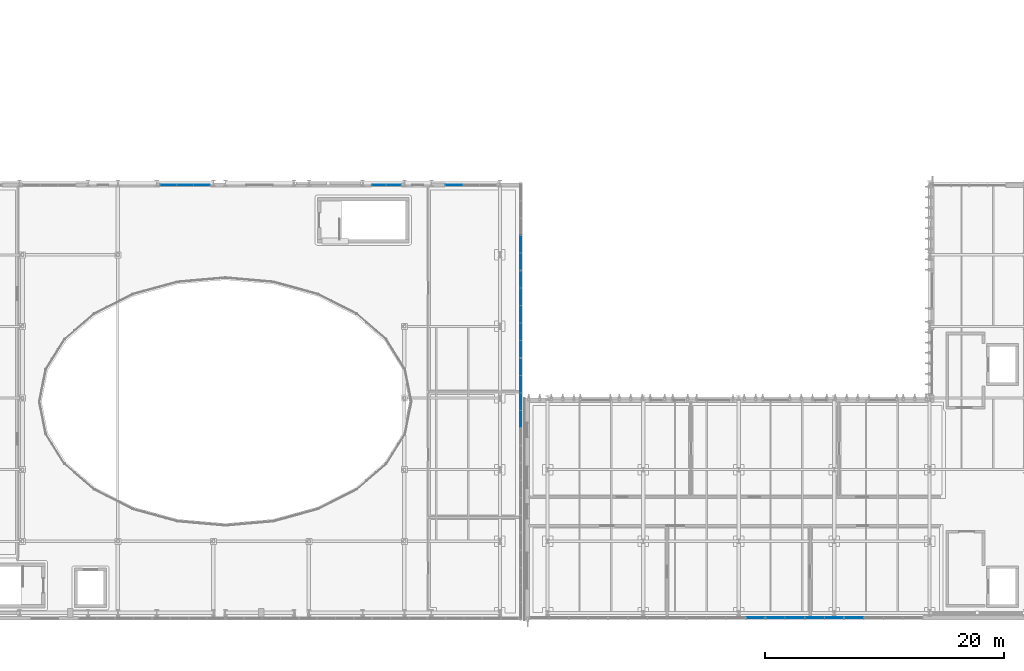
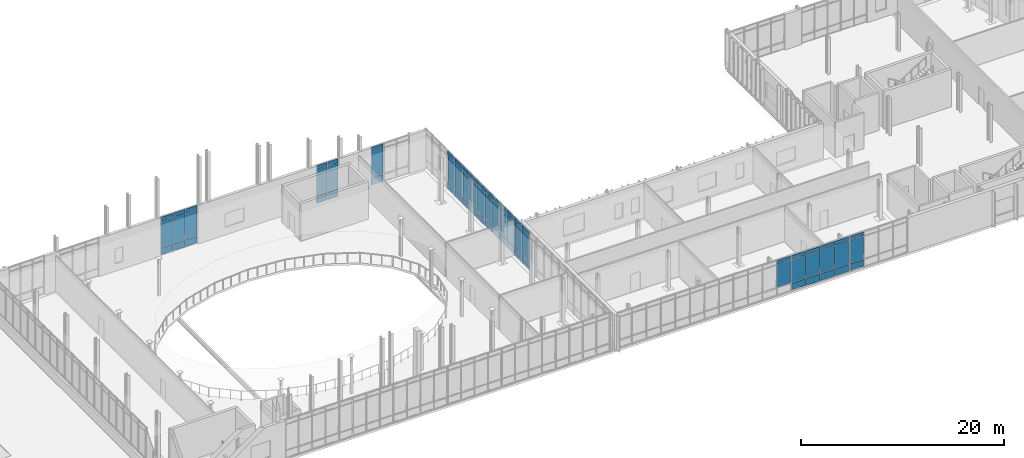
# One storey, part 49 of 86: 68 plates, 9 elements without a shape of their own.
"""IFC4 building model written with IfcOpenShell, lengths in metres."""

from ifc_helpers import new_model, si_unit, direction, frame, origin, origin_2d, place, context, subcontext, project, spatial, rectangle, extrude, material, layer, layer_set, type_object, element, aggregate, save


model = new_model("IFC4")

# Units and contexts
model_context = context("Model", 3, precision=1e-05, world=origin(), true_north=direction((0.0, 1.0)))
body_context = subcontext(model_context, "Body", "Model", "MODEL_VIEW")
ifc_project = project(units=[si_unit("LENGTHUNIT", "METRE"), si_unit("AREAUNIT", "SQUARE_METRE"), si_unit("VOLUMEUNIT", "CUBIC_METRE"), si_unit("PLANEANGLEUNIT", "RADIAN"), si_unit("MASSUNIT", "GRAM", prefix="KILO")], contexts=[model_context])

# Site, building, storey
site_placement = place(None, origin())
site = spatial("IfcSite", under=ifc_project, at=site_placement, CompositionType="ELEMENT")
building_placement = place(site_placement, origin())
building = spatial("IfcBuilding", under=site, at=building_placement, Name="Cymarion Research Institute", CompositionType="ELEMENT")
storey_placement = place(building_placement, frame((0.0, 0.0, 13.800048828125)))
storey = spatial("IfcBuildingStorey", under=building, at=storey_placement, Name="L03", CompositionType="ELEMENT", Elevation=13.800048828125)

# Curtain wall, plate
ifc_material_1 = material(Name="Anodised aluminium unitised curtain wall with Low-E glazing", Category="aluminium")
curtain_wall_type_1 = type_object("IfcCurtainWallType", Name="UNITISED CURTAIN WALL CW26 6590X4240", PredefinedType="NOTDEFINED", material=ifc_material_1)
curtain_wall_1_placement = place(storey_placement, origin())
curtain_wall_1 = element("IfcCurtainWall", 1, at=curtain_wall_1_placement, inside=storey, type_object=curtain_wall_type_1, Name="L03 V1 unitised curtain wall CW26 #121", PredefinedType="NOTDEFINED")
ifc_material_2 = material(Name="Insulated anodised aluminium spandrel panel", Category="aluminium")
ifc_layer_1 = layer(ifc_material_2, 0.06005859375)
ifc_layer_set_1 = layer_set([ifc_layer_1], Name="Insulated anodised aluminium spandrel panel")
plate_type_1 = type_object("IfcPlateType", Name="INSULATED ALUMINIUM SPANDREL PANEL SP01 60MM", PredefinedType="SHEET", material=ifc_layer_set_1)
plate_1_placement = place(storey_placement, frame((124.002197265625, 5.090087890625, 3.719970703125), z_axis=(0.0, 0.0, 1.0), x_axis=(1.0, 0.0, 0.0)))
plate_1 = element("IfcPlate", 2, at=plate_1_placement, type_object=plate_type_1, Name="CW26 panel 4.3", PredefinedType="SHEET", context=body_context, shape_type="SweptSolid", body=[
    extrude(rectangle(XDim=1.558349609375, YDim=0.06005859375, at=origin_2d()), origin(), (0.0, 0.0, 1.0), 0.4599609375),
])

# Curtain wall, plates
curtain_wall_2_placement = place(storey_placement, origin())
curtain_wall_2 = element("IfcCurtainWall", 3, at=curtain_wall_2_placement, inside=storey, type_object=curtain_wall_type_1, Name="L03 V1 unitised curtain wall CW26 #122", PredefinedType="NOTDEFINED")
plate_2_placement = place(storey_placement, frame((125.680419921875, 5.090087890625, 0.059814453125), z_axis=(0.0, 0.0, 1.0), x_axis=(1.0, 0.0, 0.0)))
plate_2 = element("IfcPlate", 4, at=plate_2_placement, type_object=plate_type_1, Name="CW26 panel 1.1", PredefinedType="SHEET", context=body_context, shape_type="SweptSolid", body=[
    extrude(rectangle(XDim=1.558349609375, YDim=0.06005859375, at=origin_2d()), origin(), (0.0, 0.0, 1.0), 0.81005859375),
])
plate_3_placement = place(storey_placement, frame((125.680419921875, 5.090087890625, 3.719970703125), z_axis=(0.0, 0.0, 1.0), x_axis=(1.0, 0.0, 0.0)))
plate_3 = element("IfcPlate", 5, at=plate_3_placement, type_object=plate_type_1, Name="CW26 panel 1.3", PredefinedType="SHEET", context=body_context, shape_type="SweptSolid", body=[
    extrude(rectangle(XDim=1.558349609375, YDim=0.06005859375, at=origin_2d()), origin(), (0.0, 0.0, 1.0), 0.4599609375),
])
plate_4_placement = place(storey_placement, frame((127.313720703125, 5.090087890625, 0.059814453125), z_axis=(0.0, 0.0, 1.0), x_axis=(1.0, 0.0, 0.0)))
plate_4 = element("IfcPlate", 6, at=plate_4_placement, type_object=plate_type_1, Name="CW26 panel 2.1", PredefinedType="SHEET", context=body_context, shape_type="SweptSolid", body=[
    extrude(rectangle(XDim=1.58837890625, YDim=0.06005859375, at=origin_2d()), origin(), (0.0, 0.0, 1.0), 0.81005859375),
])
plate_5_placement = place(storey_placement, frame((127.313720703125, 5.090087890625, 3.719970703125), z_axis=(0.0, 0.0, 1.0), x_axis=(1.0, 0.0, 0.0)))
plate_5 = element("IfcPlate", 7, at=plate_5_placement, type_object=plate_type_1, Name="CW26 panel 2.3", PredefinedType="SHEET", context=body_context, shape_type="SweptSolid", body=[
    extrude(rectangle(XDim=1.58837890625, YDim=0.06005859375, at=origin_2d()), origin(), (0.0, 0.0, 1.0), 0.4599609375),
])
plate_6_placement = place(storey_placement, frame((128.9619140625, 5.090087890625, 0.059814453125), z_axis=(0.0, 0.0, 1.0), x_axis=(1.0, 0.0, 0.0)))
plate_6 = element("IfcPlate", 8, at=plate_6_placement, type_object=plate_type_1, Name="CW26 panel 3.1", PredefinedType="SHEET", context=body_context, shape_type="SweptSolid", body=[
    extrude(rectangle(XDim=1.58837890625, YDim=0.06005859375, at=origin_2d()), origin(), (0.0, 0.0, 1.0), 0.81005859375),
])
plate_7_placement = place(storey_placement, frame((128.9619140625, 5.090087890625, 3.719970703125), z_axis=(0.0, 0.0, 1.0), x_axis=(1.0, 0.0, 0.0)))
plate_7 = element("IfcPlate", 9, at=plate_7_placement, type_object=plate_type_1, Name="CW26 panel 3.3", PredefinedType="SHEET", context=body_context, shape_type="SweptSolid", body=[
    extrude(rectangle(XDim=1.58837890625, YDim=0.06005859375, at=origin_2d()), origin(), (0.0, 0.0, 1.0), 0.4599609375),
])
plate_8_placement = place(storey_placement, frame((130.59521484375, 5.090087890625, 0.059814453125), z_axis=(0.0, 0.0, 1.0), x_axis=(1.0, 0.0, 0.0)))
plate_8 = element("IfcPlate", 10, at=plate_8_placement, type_object=plate_type_1, Name="CW26 panel 4.1", PredefinedType="SHEET", context=body_context, shape_type="SweptSolid", body=[
    extrude(rectangle(XDim=1.558349609375, YDim=0.06005859375, at=origin_2d()), origin(), (0.0, 0.0, 1.0), 0.81005859375),
])
plate_9_placement = place(storey_placement, frame((130.59521484375, 5.090087890625, 3.719970703125), z_axis=(0.0, 0.0, 1.0), x_axis=(1.0, 0.0, 0.0)))
plate_9 = element("IfcPlate", 11, at=plate_9_placement, type_object=plate_type_1, Name="CW26 panel 4.3", PredefinedType="SHEET", context=body_context, shape_type="SweptSolid", body=[
    extrude(rectangle(XDim=1.558349609375, YDim=0.06005859375, at=origin_2d()), origin(), (0.0, 0.0, 1.0), 0.4599609375),
])

curtain_wall_3_placement = place(storey_placement, origin())
curtain_wall_3 = element("IfcCurtainWall", 12, at=curtain_wall_3_placement, inside=storey, type_object=curtain_wall_type_1, Name="L03 V1 unitised curtain wall CW26 #123", PredefinedType="NOTDEFINED")
plate_10_placement = place(storey_placement, frame((132.2734375, 5.090087890625, 0.059814453125), z_axis=(0.0, 0.0, 1.0), x_axis=(1.0, 0.0, 0.0)))
plate_10 = element("IfcPlate", 13, at=plate_10_placement, type_object=plate_type_1, Name="CW26 panel 1.1", PredefinedType="SHEET", context=body_context, shape_type="SweptSolid", body=[
    extrude(rectangle(XDim=1.558349609375, YDim=0.06005859375, at=origin_2d()), origin(), (0.0, 0.0, 1.0), 0.81005859375),
])
plate_11_placement = place(storey_placement, frame((132.2734375, 5.090087890625, 3.719970703125), z_axis=(0.0, 0.0, 1.0), x_axis=(1.0, 0.0, 0.0)))
plate_11 = element("IfcPlate", 14, at=plate_11_placement, type_object=plate_type_1, Name="CW26 panel 1.3", PredefinedType="SHEET", context=body_context, shape_type="SweptSolid", body=[
    extrude(rectangle(XDim=1.558349609375, YDim=0.06005859375, at=origin_2d()), origin(), (0.0, 0.0, 1.0), 0.4599609375),
])

curtain_wall_type_2 = type_object("IfcCurtainWallType", Name="UNITISED CURTAIN WALL CW28 7320X4620", PredefinedType="NOTDEFINED", material=ifc_material_1)
curtain_wall_4_placement = place(storey_placement, origin())
curtain_wall_4 = element("IfcCurtainWall", 15, at=curtain_wall_4_placement, inside=storey, type_object=curtain_wall_type_2, Name="L03 V2 unitised curtain wall CW28 #139", PredefinedType="NOTDEFINED")
plate_12_placement = place(storey_placement, frame((104.340087890625, 21.736083984375, 0.059814453125), z_axis=(0.0, 0.0, 1.0), x_axis=(0.0, 1.0, 0.0)))
plate_12 = element("IfcPlate", 16, at=plate_12_placement, type_object=plate_type_1, Name="CW28 panel 2.1", PredefinedType="SHEET", context=body_context, shape_type="SweptSolid", body=[
    extrude(rectangle(XDim=1.404052734375, YDim=0.06005859375, at=origin_2d()), origin(), (0.0, 0.0, 1.0), 0.81005859375),
])
plate_13_placement = place(storey_placement, frame((104.340087890625, 21.736083984375, 4.099853515625), z_axis=(0.0, 0.0, 1.0), x_axis=(0.0, 1.0, 0.0)))
plate_13 = element("IfcPlate", 17, at=plate_13_placement, type_object=plate_type_1, Name="CW28 panel 2.3", PredefinedType="SHEET", context=body_context, shape_type="SweptSolid", body=[
    extrude(rectangle(XDim=1.404052734375, YDim=0.06005859375, at=origin_2d()), origin(), (0.0, 0.0, 1.0), 0.4599609375),
])
plate_14_placement = place(storey_placement, frame((104.340087890625, 23.199951171875, 0.059814453125), z_axis=(0.0, 0.0, 1.0), x_axis=(0.0, 1.0, 0.0)))
plate_14 = element("IfcPlate", 18, at=plate_14_placement, type_object=plate_type_1, Name="CW28 panel 3.1", PredefinedType="SHEET", context=body_context, shape_type="SweptSolid", body=[
    extrude(rectangle(XDim=1.404052734375, YDim=0.06005859375, at=origin_2d()), origin(), (0.0, 0.0, 1.0), 0.81005859375),
])
plate_15_placement = place(storey_placement, frame((104.340087890625, 23.199951171875, 4.099853515625), z_axis=(0.0, 0.0, 1.0), x_axis=(0.0, 1.0, 0.0)))
plate_15 = element("IfcPlate", 19, at=plate_15_placement, type_object=plate_type_1, Name="CW28 panel 3.3", PredefinedType="SHEET", context=body_context, shape_type="SweptSolid", body=[
    extrude(rectangle(XDim=1.404052734375, YDim=0.06005859375, at=origin_2d()), origin(), (0.0, 0.0, 1.0), 0.4599609375),
])
plate_16_placement = place(storey_placement, frame((104.340087890625, 24.6640625, 0.059814453125), z_axis=(0.0, 0.0, 1.0), x_axis=(0.0, 1.0, 0.0)))
plate_16 = element("IfcPlate", 20, at=plate_16_placement, type_object=plate_type_1, Name="CW28 panel 4.1", PredefinedType="SHEET", context=body_context, shape_type="SweptSolid", body=[
    extrude(rectangle(XDim=1.404052734375, YDim=0.06005859375, at=origin_2d()), origin(), (0.0, 0.0, 1.0), 0.81005859375),
])
plate_17_placement = place(storey_placement, frame((104.340087890625, 24.6640625, 4.099853515625), z_axis=(0.0, 0.0, 1.0), x_axis=(0.0, 1.0, 0.0)))
plate_17 = element("IfcPlate", 21, at=plate_17_placement, type_object=plate_type_1, Name="CW28 panel 4.3", PredefinedType="SHEET", context=body_context, shape_type="SweptSolid", body=[
    extrude(rectangle(XDim=1.404052734375, YDim=0.06005859375, at=origin_2d()), origin(), (0.0, 0.0, 1.0), 0.4599609375),
])
plate_18_placement = place(storey_placement, frame((104.340087890625, 26.113037109375, 0.059814453125), z_axis=(0.0, 0.0, 1.0), x_axis=(0.0, 1.0, 0.0)))
plate_18 = element("IfcPlate", 22, at=plate_18_placement, type_object=plate_type_1, Name="CW28 panel 5.1", PredefinedType="SHEET", context=body_context, shape_type="SweptSolid", body=[
    extrude(rectangle(XDim=1.3740234375, YDim=0.06005859375, at=origin_2d()), origin(), (0.0, 0.0, 1.0), 0.81005859375),
])
plate_19_placement = place(storey_placement, frame((104.340087890625, 26.113037109375, 4.099853515625), z_axis=(0.0, 0.0, 1.0), x_axis=(0.0, 1.0, 0.0)))
plate_19 = element("IfcPlate", 23, at=plate_19_placement, type_object=plate_type_1, Name="CW28 panel 5.3", PredefinedType="SHEET", context=body_context, shape_type="SweptSolid", body=[
    extrude(rectangle(XDim=1.3740234375, YDim=0.06005859375, at=origin_2d()), origin(), (0.0, 0.0, 1.0), 0.4599609375),
])

curtain_wall_5_placement = place(storey_placement, origin())
curtain_wall_5 = element("IfcCurtainWall", 24, at=curtain_wall_5_placement, inside=storey, type_object=curtain_wall_type_2, Name="L03 V2 unitised curtain wall CW28 #140", PredefinedType="NOTDEFINED")
plate_20_placement = place(storey_placement, frame((104.340087890625, 27.60693359375, 0.059814453125), z_axis=(0.0, 0.0, 1.0), x_axis=(0.0, 1.0, 0.0)))
plate_20 = element("IfcPlate", 25, at=plate_20_placement, type_object=plate_type_1, Name="CW28 panel 1.1", PredefinedType="SHEET", context=body_context, shape_type="SweptSolid", body=[
    extrude(rectangle(XDim=1.3740234375, YDim=0.06005859375, at=origin_2d()), origin(), (0.0, 0.0, 1.0), 0.81005859375),
])
plate_21_placement = place(storey_placement, frame((104.340087890625, 27.60693359375, 4.099853515625), z_axis=(0.0, 0.0, 1.0), x_axis=(0.0, 1.0, 0.0)))
plate_21 = element("IfcPlate", 26, at=plate_21_placement, type_object=plate_type_1, Name="CW28 panel 1.3", PredefinedType="SHEET", context=body_context, shape_type="SweptSolid", body=[
    extrude(rectangle(XDim=1.3740234375, YDim=0.06005859375, at=origin_2d()), origin(), (0.0, 0.0, 1.0), 0.4599609375),
])
plate_22_placement = place(storey_placement, frame((104.340087890625, 29.055908203125, 0.059814453125), z_axis=(0.0, 0.0, 1.0), x_axis=(0.0, 1.0, 0.0)))
plate_22 = element("IfcPlate", 27, at=plate_22_placement, type_object=plate_type_1, Name="CW28 panel 2.1", PredefinedType="SHEET", context=body_context, shape_type="SweptSolid", body=[
    extrude(rectangle(XDim=1.404052734375, YDim=0.06005859375, at=origin_2d()), origin(), (0.0, 0.0, 1.0), 0.81005859375),
])
plate_23_placement = place(storey_placement, frame((104.340087890625, 29.055908203125, 4.099853515625), z_axis=(0.0, 0.0, 1.0), x_axis=(0.0, 1.0, 0.0)))
plate_23 = element("IfcPlate", 28, at=plate_23_placement, type_object=plate_type_1, Name="CW28 panel 2.3", PredefinedType="SHEET", context=body_context, shape_type="SweptSolid", body=[
    extrude(rectangle(XDim=1.404052734375, YDim=0.06005859375, at=origin_2d()), origin(), (0.0, 0.0, 1.0), 0.4599609375),
])
plate_24_placement = place(storey_placement, frame((104.340087890625, 30.52001953125, 0.059814453125), z_axis=(0.0, 0.0, 1.0), x_axis=(0.0, 1.0, 0.0)))
plate_24 = element("IfcPlate", 29, at=plate_24_placement, type_object=plate_type_1, Name="CW28 panel 3.1", PredefinedType="SHEET", context=body_context, shape_type="SweptSolid", body=[
    extrude(rectangle(XDim=1.404052734375, YDim=0.06005859375, at=origin_2d()), origin(), (0.0, 0.0, 1.0), 0.81005859375),
])
plate_25_placement = place(storey_placement, frame((104.340087890625, 30.52001953125, 4.099853515625), z_axis=(0.0, 0.0, 1.0), x_axis=(0.0, 1.0, 0.0)))
plate_25 = element("IfcPlate", 30, at=plate_25_placement, type_object=plate_type_1, Name="CW28 panel 3.3", PredefinedType="SHEET", context=body_context, shape_type="SweptSolid", body=[
    extrude(rectangle(XDim=1.404052734375, YDim=0.06005859375, at=origin_2d()), origin(), (0.0, 0.0, 1.0), 0.4599609375),
])
plate_26_placement = place(storey_placement, frame((104.340087890625, 31.98388671875, 0.059814453125), z_axis=(0.0, 0.0, 1.0), x_axis=(0.0, 1.0, 0.0)))
plate_26 = element("IfcPlate", 31, at=plate_26_placement, type_object=plate_type_1, Name="CW28 panel 4.1", PredefinedType="SHEET", context=body_context, shape_type="SweptSolid", body=[
    extrude(rectangle(XDim=1.404052734375, YDim=0.06005859375, at=origin_2d()), origin(), (0.0, 0.0, 1.0), 0.81005859375),
])
plate_27_placement = place(storey_placement, frame((104.340087890625, 31.98388671875, 4.099853515625), z_axis=(0.0, 0.0, 1.0), x_axis=(0.0, 1.0, 0.0)))
plate_27 = element("IfcPlate", 32, at=plate_27_placement, type_object=plate_type_1, Name="CW28 panel 4.3", PredefinedType="SHEET", context=body_context, shape_type="SweptSolid", body=[
    extrude(rectangle(XDim=1.404052734375, YDim=0.06005859375, at=origin_2d()), origin(), (0.0, 0.0, 1.0), 0.4599609375),
])
plate_28_placement = place(storey_placement, frame((104.340087890625, 33.43310546875, 0.059814453125), z_axis=(0.0, 0.0, 1.0), x_axis=(0.0, 1.0, 0.0)))
plate_28 = element("IfcPlate", 33, at=plate_28_placement, type_object=plate_type_1, Name="CW28 panel 5.1", PredefinedType="SHEET", context=body_context, shape_type="SweptSolid", body=[
    extrude(rectangle(XDim=1.3740234375, YDim=0.06005859375, at=origin_2d()), origin(), (0.0, 0.0, 1.0), 0.81005859375),
])
plate_29_placement = place(storey_placement, frame((104.340087890625, 33.43310546875, 4.099853515625), z_axis=(0.0, 0.0, 1.0), x_axis=(0.0, 1.0, 0.0)))
plate_29 = element("IfcPlate", 34, at=plate_29_placement, type_object=plate_type_1, Name="CW28 panel 5.3", PredefinedType="SHEET", context=body_context, shape_type="SweptSolid", body=[
    extrude(rectangle(XDim=1.3740234375, YDim=0.06005859375, at=origin_2d()), origin(), (0.0, 0.0, 1.0), 0.4599609375),
])

curtain_wall_6_placement = place(storey_placement, origin())
curtain_wall_6 = element("IfcCurtainWall", 35, at=curtain_wall_6_placement, inside=storey, type_object=curtain_wall_type_2, Name="L03 V2 unitised curtain wall CW28 #141", PredefinedType="NOTDEFINED")
plate_30_placement = place(storey_placement, frame((104.340087890625, 34.927001953125, 0.059814453125), z_axis=(0.0, 0.0, 1.0), x_axis=(0.0, 1.0, 0.0)))
plate_30 = element("IfcPlate", 36, at=plate_30_placement, type_object=plate_type_1, Name="CW28 panel 1.1", PredefinedType="SHEET", context=body_context, shape_type="SweptSolid", body=[
    extrude(rectangle(XDim=1.3740234375, YDim=0.06005859375, at=origin_2d()), origin(), (0.0, 0.0, 1.0), 0.81005859375),
])
plate_31_placement = place(storey_placement, frame((104.340087890625, 34.927001953125, 4.099853515625), z_axis=(0.0, 0.0, 1.0), x_axis=(0.0, 1.0, 0.0)))
plate_31 = element("IfcPlate", 37, at=plate_31_placement, type_object=plate_type_1, Name="CW28 panel 1.3", PredefinedType="SHEET", context=body_context, shape_type="SweptSolid", body=[
    extrude(rectangle(XDim=1.3740234375, YDim=0.06005859375, at=origin_2d()), origin(), (0.0, 0.0, 1.0), 0.4599609375),
])
plate_32_placement = place(storey_placement, frame((104.340087890625, 36.3759765625, 0.059814453125), z_axis=(0.0, 0.0, 1.0), x_axis=(0.0, 1.0, 0.0)))
plate_32 = element("IfcPlate", 38, at=plate_32_placement, type_object=plate_type_1, Name="CW28 panel 2.1", PredefinedType="SHEET", context=body_context, shape_type="SweptSolid", body=[
    extrude(rectangle(XDim=1.404052734375, YDim=0.06005859375, at=origin_2d()), origin(), (0.0, 0.0, 1.0), 0.81005859375),
])
plate_33_placement = place(storey_placement, frame((104.340087890625, 36.3759765625, 4.099853515625), z_axis=(0.0, 0.0, 1.0), x_axis=(0.0, 1.0, 0.0)))
plate_33 = element("IfcPlate", 39, at=plate_33_placement, type_object=plate_type_1, Name="CW28 panel 2.3", PredefinedType="SHEET", context=body_context, shape_type="SweptSolid", body=[
    extrude(rectangle(XDim=1.404052734375, YDim=0.06005859375, at=origin_2d()), origin(), (0.0, 0.0, 1.0), 0.4599609375),
])

curtain_wall_type_3 = type_object("IfcCurtainWallType", Name="UNITISED CURTAIN WALL CW29 4330X4620", PredefinedType="NOTDEFINED", material=ifc_material_1)
curtain_wall_7_placement = place(storey_placement, origin())
curtain_wall_7 = element("IfcCurtainWall", 40, at=curtain_wall_7_placement, inside=storey, type_object=curtain_wall_type_3, Name="L03 V2 unitised curtain wall CW29 #142", PredefinedType="NOTDEFINED")
plate_34_placement = place(storey_placement, frame((98.747314453125, 41.340087890625, 0.059814453125), z_axis=(0.0, 0.0, 1.0), x_axis=(-1.0, 0.0, 0.0)))
plate_34 = element("IfcPlate", 41, at=plate_34_placement, type_object=plate_type_1, Name="CW29 panel 3.1", PredefinedType="SHEET", context=body_context, shape_type="SweptSolid", body=[
    extrude(rectangle(XDim=1.35302734375, YDim=0.06005859375, at=origin_2d()), origin(), (0.0, 0.0, 1.0), 0.81005859375),
])
plate_35_placement = place(storey_placement, frame((98.747314453125, 41.340087890625, 4.099853515625), z_axis=(0.0, 0.0, 1.0), x_axis=(-1.0, 0.0, 0.0)))
plate_35 = element("IfcPlate", 42, at=plate_35_placement, type_object=plate_type_1, Name="CW29 panel 3.3", PredefinedType="SHEET", context=body_context, shape_type="SweptSolid", body=[
    extrude(rectangle(XDim=1.35302734375, YDim=0.06005859375, at=origin_2d()), origin(), (0.0, 0.0, 1.0), 0.4599609375),
])

curtain_wall_type_4 = type_object("IfcCurtainWallType", Name="UNITISED CURTAIN WALL CW30 2520X4620", PredefinedType="NOTDEFINED", material=ifc_material_1)
curtain_wall_8_placement = place(storey_placement, origin())
curtain_wall_8 = element("IfcCurtainWall", 43, at=curtain_wall_8_placement, inside=storey, type_object=curtain_wall_type_4, Name="L03 V2 unitised curtain wall CW30 #143", PredefinedType="NOTDEFINED")
plate_36_placement = place(storey_placement, frame((93.69580078125, 41.340087890625, 0.059814453125), z_axis=(0.0, 0.0, 1.0), x_axis=(-1.0, 0.0, 0.0)))
plate_36 = element("IfcPlate", 44, at=plate_36_placement, type_object=plate_type_1, Name="CW30 panel 1.1", PredefinedType="SHEET", context=body_context, shape_type="SweptSolid", body=[
    extrude(rectangle(XDim=1.168212890625, YDim=0.06005859375, at=origin_2d()), origin(), (0.0, 0.0, 1.0), 0.81005859375),
])
plate_37_placement = place(storey_placement, frame((93.69580078125, 41.340087890625, 4.099853515625), z_axis=(0.0, 0.0, 1.0), x_axis=(-1.0, 0.0, 0.0)))
plate_37 = element("IfcPlate", 45, at=plate_37_placement, type_object=plate_type_1, Name="CW30 panel 1.3", PredefinedType="SHEET", context=body_context, shape_type="SweptSolid", body=[
    extrude(rectangle(XDim=1.168212890625, YDim=0.06005859375, at=origin_2d()), origin(), (0.0, 0.0, 1.0), 0.4599609375),
])
plate_38_placement = place(storey_placement, frame((92.467529296875, 41.340087890625, 0.059814453125), z_axis=(0.0, 0.0, 1.0), x_axis=(-1.0, 0.0, 0.0)))
plate_38 = element("IfcPlate", 46, at=plate_38_placement, type_object=plate_type_1, Name="CW30 panel 2.1", PredefinedType="SHEET", context=body_context, shape_type="SweptSolid", body=[
    extrude(rectangle(XDim=1.168212890625, YDim=0.06005859375, at=origin_2d()), origin(), (0.0, 0.0, 1.0), 0.81005859375),
])
plate_39_placement = place(storey_placement, frame((92.467529296875, 41.340087890625, 4.099853515625), z_axis=(0.0, 0.0, 1.0), x_axis=(-1.0, 0.0, 0.0)))
plate_39 = element("IfcPlate", 47, at=plate_39_placement, type_object=plate_type_1, Name="CW30 panel 2.3", PredefinedType="SHEET", context=body_context, shape_type="SweptSolid", body=[
    extrude(rectangle(XDim=1.168212890625, YDim=0.06005859375, at=origin_2d()), origin(), (0.0, 0.0, 1.0), 0.4599609375),
])

curtain_wall_type_5 = type_object("IfcCurtainWallType", Name="UNITISED CURTAIN WALL CW31 4230X4620", PredefinedType="NOTDEFINED", material=ifc_material_1)
curtain_wall_9_placement = place(storey_placement, origin())
curtain_wall_9 = element("IfcCurtainWall", 48, at=curtain_wall_9_placement, inside=storey, type_object=curtain_wall_type_5, Name="L03 V2 unitised curtain wall CW31 #144", PredefinedType="NOTDEFINED")
plate_40_placement = place(storey_placement, frame((77.6201171875, 41.340087890625, 0.059814453125), z_axis=(0.0, 0.0, 1.0), x_axis=(-1.0, 0.0, 0.0)))
plate_40 = element("IfcPlate", 49, at=plate_40_placement, type_object=plate_type_1, Name="CW31 panel 1.1", PredefinedType="SHEET", context=body_context, shape_type="SweptSolid", body=[
    extrude(rectangle(XDim=1.320068359375, YDim=0.06005859375, at=origin_2d()), origin(), (0.0, 0.0, 1.0), 0.81005859375),
])
plate_41_placement = place(storey_placement, frame((77.6201171875, 41.340087890625, 4.099853515625), z_axis=(0.0, 0.0, 1.0), x_axis=(-1.0, 0.0, 0.0)))
plate_41 = element("IfcPlate", 50, at=plate_41_placement, type_object=plate_type_1, Name="CW31 panel 1.3", PredefinedType="SHEET", context=body_context, shape_type="SweptSolid", body=[
    extrude(rectangle(XDim=1.320068359375, YDim=0.06005859375, at=origin_2d()), origin(), (0.0, 0.0, 1.0), 0.4599609375),
])
plate_42_placement = place(storey_placement, frame((76.22509765625, 41.340087890625, 0.059814453125), z_axis=(0.0, 0.0, 1.0), x_axis=(-1.0, 0.0, 0.0)))
plate_42 = element("IfcPlate", 51, at=plate_42_placement, type_object=plate_type_1, Name="CW31 panel 2.1", PredefinedType="SHEET", context=body_context, shape_type="SweptSolid", body=[
    extrude(rectangle(XDim=1.35009765625, YDim=0.06005859375, at=origin_2d()), origin(), (0.0, 0.0, 1.0), 0.81005859375),
])
plate_43_placement = place(storey_placement, frame((76.22509765625, 41.340087890625, 4.099853515625), z_axis=(0.0, 0.0, 1.0), x_axis=(-1.0, 0.0, 0.0)))
plate_43 = element("IfcPlate", 52, at=plate_43_placement, type_object=plate_type_1, Name="CW31 panel 2.3", PredefinedType="SHEET", context=body_context, shape_type="SweptSolid", body=[
    extrude(rectangle(XDim=1.35009765625, YDim=0.06005859375, at=origin_2d()), origin(), (0.0, 0.0, 1.0), 0.4599609375),
])
plate_44_placement = place(storey_placement, frame((74.830078125, 41.340087890625, 0.059814453125), z_axis=(0.0, 0.0, 1.0), x_axis=(-1.0, 0.0, 0.0)))
plate_44 = element("IfcPlate", 53, at=plate_44_placement, type_object=plate_type_1, Name="CW31 panel 3.1", PredefinedType="SHEET", context=body_context, shape_type="SweptSolid", body=[
    extrude(rectangle(XDim=1.320068359375, YDim=0.06005859375, at=origin_2d()), origin(), (0.0, 0.0, 1.0), 0.81005859375),
])
plate_45_placement = place(storey_placement, frame((74.830078125, 41.340087890625, 4.099853515625), z_axis=(0.0, 0.0, 1.0), x_axis=(-1.0, 0.0, 0.0)))
plate_45 = element("IfcPlate", 54, at=plate_45_placement, type_object=plate_type_1, Name="CW31 panel 3.3", PredefinedType="SHEET", context=body_context, shape_type="SweptSolid", body=[
    extrude(rectangle(XDim=1.320068359375, YDim=0.06005859375, at=origin_2d()), origin(), (0.0, 0.0, 1.0), 0.4599609375),
])

# Plate
ifc_material_3 = material(Name="Low-E double solar-control glazing", Category="glass")
ifc_layer_2 = layer(ifc_material_3, 0.035888671875)
ifc_layer_set_2 = layer_set([ifc_layer_2], Name="Low-E double solar-control glazing")
plate_type_2 = type_object("IfcPlateType", Name="SOLAR CONTROL GLAZED VISION PANEL GP01 36MM", PredefinedType="CURTAIN_PANEL", material=ifc_layer_set_2)
plate_46_placement = place(storey_placement, frame((124.002197265625, 5.090087890625, 0.929931640625), z_axis=(0.0, 0.0, 1.0), x_axis=(1.0, 0.0, 0.0)))
plate_46 = element("IfcPlate", 55, at=plate_46_placement, type_object=plate_type_2, Name="CW26 panel 4.2", PredefinedType="CURTAIN_PANEL", context=body_context, shape_type="SweptSolid", body=[
    extrude(rectangle(XDim=1.558349609375, YDim=0.035888671875, at=origin_2d()), origin(), (0.0, 0.0, 1.0), 2.72998046875),
])

aggregate(curtain_wall_1, [plate_46, plate_1])

plate_47_placement = place(storey_placement, frame((125.680419921875, 5.090087890625, 0.929931640625), z_axis=(0.0, 0.0, 1.0), x_axis=(1.0, 0.0, 0.0)))
plate_47 = element("IfcPlate", 56, at=plate_47_placement, type_object=plate_type_2, Name="CW26 panel 1.2", PredefinedType="CURTAIN_PANEL", context=body_context, shape_type="SweptSolid", body=[
    extrude(rectangle(XDim=1.558349609375, YDim=0.035888671875, at=origin_2d()), origin(), (0.0, 0.0, 1.0), 2.72998046875),
])

plate_48_placement = place(storey_placement, frame((127.313720703125, 5.090087890625, 0.929931640625), z_axis=(0.0, 0.0, 1.0), x_axis=(1.0, 0.0, 0.0)))
plate_48 = element("IfcPlate", 57, at=plate_48_placement, type_object=plate_type_2, Name="CW26 panel 2.2", PredefinedType="CURTAIN_PANEL", context=body_context, shape_type="SweptSolid", body=[
    extrude(rectangle(XDim=1.58837890625, YDim=0.035888671875, at=origin_2d()), origin(), (0.0, 0.0, 1.0), 2.72998046875),
])

plate_49_placement = place(storey_placement, frame((128.9619140625, 5.090087890625, 0.929931640625), z_axis=(0.0, 0.0, 1.0), x_axis=(1.0, 0.0, 0.0)))
plate_49 = element("IfcPlate", 58, at=plate_49_placement, type_object=plate_type_2, Name="CW26 panel 3.2", PredefinedType="CURTAIN_PANEL", context=body_context, shape_type="SweptSolid", body=[
    extrude(rectangle(XDim=1.58837890625, YDim=0.035888671875, at=origin_2d()), origin(), (0.0, 0.0, 1.0), 2.72998046875),
])

plate_50_placement = place(storey_placement, frame((130.59521484375, 5.090087890625, 0.929931640625), z_axis=(0.0, 0.0, 1.0), x_axis=(1.0, 0.0, 0.0)))
plate_50 = element("IfcPlate", 59, at=plate_50_placement, type_object=plate_type_2, Name="CW26 panel 4.2", PredefinedType="CURTAIN_PANEL", context=body_context, shape_type="SweptSolid", body=[
    extrude(rectangle(XDim=1.558349609375, YDim=0.035888671875, at=origin_2d()), origin(), (0.0, 0.0, 1.0), 2.72998046875),
])

aggregate(curtain_wall_2, [plate_2, plate_47, plate_3, plate_4, plate_48, plate_5, plate_6, plate_49, plate_7, plate_8, plate_50, plate_9])

plate_51_placement = place(storey_placement, frame((132.2734375, 5.090087890625, 0.929931640625), z_axis=(0.0, 0.0, 1.0), x_axis=(1.0, 0.0, 0.0)))
plate_51 = element("IfcPlate", 60, at=plate_51_placement, type_object=plate_type_2, Name="CW26 panel 1.2", PredefinedType="CURTAIN_PANEL", context=body_context, shape_type="SweptSolid", body=[
    extrude(rectangle(XDim=1.558349609375, YDim=0.035888671875, at=origin_2d()), origin(), (0.0, 0.0, 1.0), 2.72998046875),
])

aggregate(curtain_wall_3, [plate_10, plate_51, plate_11])

plate_52_placement = place(storey_placement, frame((104.340087890625, 21.736083984375, 0.9296875), z_axis=(0.0, 0.0, 1.0), x_axis=(0.0, 1.0, 0.0)))
plate_52 = element("IfcPlate", 61, at=plate_52_placement, type_object=plate_type_2, Name="CW28 panel 2.2", PredefinedType="CURTAIN_PANEL", context=body_context, shape_type="SweptSolid", body=[
    extrude(rectangle(XDim=1.404052734375, YDim=0.035888671875, at=origin_2d()), origin(), (0.0, 0.0, 1.0), 3.110107421875),
])

plate_53_placement = place(storey_placement, frame((104.340087890625, 23.199951171875, 0.9296875), z_axis=(0.0, 0.0, 1.0), x_axis=(0.0, 1.0, 0.0)))
plate_53 = element("IfcPlate", 62, at=plate_53_placement, type_object=plate_type_2, Name="CW28 panel 3.2", PredefinedType="CURTAIN_PANEL", context=body_context, shape_type="SweptSolid", body=[
    extrude(rectangle(XDim=1.404052734375, YDim=0.035888671875, at=origin_2d()), origin(), (0.0, 0.0, 1.0), 3.110107421875),
])

plate_54_placement = place(storey_placement, frame((104.340087890625, 24.6640625, 0.9296875), z_axis=(0.0, 0.0, 1.0), x_axis=(0.0, 1.0, 0.0)))
plate_54 = element("IfcPlate", 63, at=plate_54_placement, type_object=plate_type_2, Name="CW28 panel 4.2", PredefinedType="CURTAIN_PANEL", context=body_context, shape_type="SweptSolid", body=[
    extrude(rectangle(XDim=1.404052734375, YDim=0.035888671875, at=origin_2d()), origin(), (0.0, 0.0, 1.0), 3.110107421875),
])

plate_55_placement = place(storey_placement, frame((104.340087890625, 26.113037109375, 0.9296875), z_axis=(0.0, 0.0, 1.0), x_axis=(0.0, 1.0, 0.0)))
plate_55 = element("IfcPlate", 64, at=plate_55_placement, type_object=plate_type_2, Name="CW28 panel 5.2", PredefinedType="CURTAIN_PANEL", context=body_context, shape_type="SweptSolid", body=[
    extrude(rectangle(XDim=1.3740234375, YDim=0.035888671875, at=origin_2d()), origin(), (0.0, 0.0, 1.0), 3.110107421875),
])

aggregate(curtain_wall_4, [plate_12, plate_52, plate_13, plate_14, plate_53, plate_15, plate_16, plate_54, plate_17, plate_18, plate_55, plate_19])

plate_56_placement = place(storey_placement, frame((104.340087890625, 27.60693359375, 0.9296875), z_axis=(0.0, 0.0, 1.0), x_axis=(0.0, 1.0, 0.0)))
plate_56 = element("IfcPlate", 65, at=plate_56_placement, type_object=plate_type_2, Name="CW28 panel 1.2", PredefinedType="CURTAIN_PANEL", context=body_context, shape_type="SweptSolid", body=[
    extrude(rectangle(XDim=1.3740234375, YDim=0.035888671875, at=origin_2d()), origin(), (0.0, 0.0, 1.0), 3.110107421875),
])

plate_57_placement = place(storey_placement, frame((104.340087890625, 29.055908203125, 0.9296875), z_axis=(0.0, 0.0, 1.0), x_axis=(0.0, 1.0, 0.0)))
plate_57 = element("IfcPlate", 66, at=plate_57_placement, type_object=plate_type_2, Name="CW28 panel 2.2", PredefinedType="CURTAIN_PANEL", context=body_context, shape_type="SweptSolid", body=[
    extrude(rectangle(XDim=1.404052734375, YDim=0.035888671875, at=origin_2d()), origin(), (0.0, 0.0, 1.0), 3.110107421875),
])

plate_58_placement = place(storey_placement, frame((104.340087890625, 30.52001953125, 0.9296875), z_axis=(0.0, 0.0, 1.0), x_axis=(0.0, 1.0, 0.0)))
plate_58 = element("IfcPlate", 67, at=plate_58_placement, type_object=plate_type_2, Name="CW28 panel 3.2", PredefinedType="CURTAIN_PANEL", context=body_context, shape_type="SweptSolid", body=[
    extrude(rectangle(XDim=1.404052734375, YDim=0.035888671875, at=origin_2d()), origin(), (0.0, 0.0, 1.0), 3.110107421875),
])

plate_59_placement = place(storey_placement, frame((104.340087890625, 31.98388671875, 0.9296875), z_axis=(0.0, 0.0, 1.0), x_axis=(0.0, 1.0, 0.0)))
plate_59 = element("IfcPlate", 68, at=plate_59_placement, type_object=plate_type_2, Name="CW28 panel 4.2", PredefinedType="CURTAIN_PANEL", context=body_context, shape_type="SweptSolid", body=[
    extrude(rectangle(XDim=1.404052734375, YDim=0.035888671875, at=origin_2d()), origin(), (0.0, 0.0, 1.0), 3.110107421875),
])

plate_60_placement = place(storey_placement, frame((104.340087890625, 33.43310546875, 0.9296875), z_axis=(0.0, 0.0, 1.0), x_axis=(0.0, 1.0, 0.0)))
plate_60 = element("IfcPlate", 69, at=plate_60_placement, type_object=plate_type_2, Name="CW28 panel 5.2", PredefinedType="CURTAIN_PANEL", context=body_context, shape_type="SweptSolid", body=[
    extrude(rectangle(XDim=1.3740234375, YDim=0.035888671875, at=origin_2d()), origin(), (0.0, 0.0, 1.0), 3.110107421875),
])

aggregate(curtain_wall_5, [plate_20, plate_56, plate_21, plate_22, plate_57, plate_23, plate_24, plate_58, plate_25, plate_26, plate_59, plate_27, plate_28, plate_60, plate_29])

plate_61_placement = place(storey_placement, frame((104.340087890625, 34.927001953125, 0.9296875), z_axis=(0.0, 0.0, 1.0), x_axis=(0.0, 1.0, 0.0)))
plate_61 = element("IfcPlate", 70, at=plate_61_placement, type_object=plate_type_2, Name="CW28 panel 1.2", PredefinedType="CURTAIN_PANEL", context=body_context, shape_type="SweptSolid", body=[
    extrude(rectangle(XDim=1.3740234375, YDim=0.035888671875, at=origin_2d()), origin(), (0.0, 0.0, 1.0), 3.110107421875),
])

plate_62_placement = place(storey_placement, frame((104.340087890625, 36.3759765625, 0.9296875), z_axis=(0.0, 0.0, 1.0), x_axis=(0.0, 1.0, 0.0)))
plate_62 = element("IfcPlate", 71, at=plate_62_placement, type_object=plate_type_2, Name="CW28 panel 2.2", PredefinedType="CURTAIN_PANEL", context=body_context, shape_type="SweptSolid", body=[
    extrude(rectangle(XDim=1.404052734375, YDim=0.035888671875, at=origin_2d()), origin(), (0.0, 0.0, 1.0), 3.110107421875),
])

aggregate(curtain_wall_6, [plate_30, plate_61, plate_31, plate_32, plate_62, plate_33])

plate_63_placement = place(storey_placement, frame((98.747314453125, 41.340087890625, 0.9296875), z_axis=(0.0, 0.0, 1.0), x_axis=(-1.0, 0.0, 0.0)))
plate_63 = element("IfcPlate", 72, at=plate_63_placement, type_object=plate_type_2, Name="CW29 panel 3.2", PredefinedType="CURTAIN_PANEL", context=body_context, shape_type="SweptSolid", body=[
    extrude(rectangle(XDim=1.35302734375, YDim=0.035888671875, at=origin_2d()), origin(), (0.0, 0.0, 1.0), 3.110107421875),
])

aggregate(curtain_wall_7, [plate_34, plate_63, plate_35])

plate_64_placement = place(storey_placement, frame((93.69580078125, 41.340087890625, 0.9296875), z_axis=(0.0, 0.0, 1.0), x_axis=(-1.0, 0.0, 0.0)))
plate_64 = element("IfcPlate", 73, at=plate_64_placement, type_object=plate_type_2, Name="CW30 panel 1.2", PredefinedType="CURTAIN_PANEL", context=body_context, shape_type="SweptSolid", body=[
    extrude(rectangle(XDim=1.168212890625, YDim=0.035888671875, at=origin_2d()), origin(), (0.0, 0.0, 1.0), 3.110107421875),
])

plate_65_placement = place(storey_placement, frame((92.467529296875, 41.340087890625, 0.9296875), z_axis=(0.0, 0.0, 1.0), x_axis=(-1.0, 0.0, 0.0)))
plate_65 = element("IfcPlate", 74, at=plate_65_placement, type_object=plate_type_2, Name="CW30 panel 2.2", PredefinedType="CURTAIN_PANEL", context=body_context, shape_type="SweptSolid", body=[
    extrude(rectangle(XDim=1.168212890625, YDim=0.035888671875, at=origin_2d()), origin(), (0.0, 0.0, 1.0), 3.110107421875),
])

aggregate(curtain_wall_8, [plate_36, plate_64, plate_37, plate_38, plate_65, plate_39])

plate_66_placement = place(storey_placement, frame((77.6201171875, 41.340087890625, 0.9296875), z_axis=(0.0, 0.0, 1.0), x_axis=(-1.0, 0.0, 0.0)))
plate_66 = element("IfcPlate", 75, at=plate_66_placement, type_object=plate_type_2, Name="CW31 panel 1.2", PredefinedType="CURTAIN_PANEL", context=body_context, shape_type="SweptSolid", body=[
    extrude(rectangle(XDim=1.320068359375, YDim=0.035888671875, at=origin_2d()), origin(), (0.0, 0.0, 1.0), 3.110107421875),
])

plate_67_placement = place(storey_placement, frame((76.22509765625, 41.340087890625, 0.9296875), z_axis=(0.0, 0.0, 1.0), x_axis=(-1.0, 0.0, 0.0)))
plate_67 = element("IfcPlate", 76, at=plate_67_placement, type_object=plate_type_2, Name="CW31 panel 2.2", PredefinedType="CURTAIN_PANEL", context=body_context, shape_type="SweptSolid", body=[
    extrude(rectangle(XDim=1.35009765625, YDim=0.035888671875, at=origin_2d()), origin(), (0.0, 0.0, 1.0), 3.110107421875),
])

plate_68_placement = place(storey_placement, frame((74.830078125, 41.340087890625, 0.9296875), z_axis=(0.0, 0.0, 1.0), x_axis=(-1.0, 0.0, 0.0)))
plate_68 = element("IfcPlate", 77, at=plate_68_placement, type_object=plate_type_2, Name="CW31 panel 3.2", PredefinedType="CURTAIN_PANEL", context=body_context, shape_type="SweptSolid", body=[
    extrude(rectangle(XDim=1.320068359375, YDim=0.035888671875, at=origin_2d()), origin(), (0.0, 0.0, 1.0), 3.110107421875),
])

aggregate(curtain_wall_9, [plate_40, plate_66, plate_41, plate_42, plate_67, plate_43, plate_44, plate_68, plate_45])

save(model, "model.ifc")
